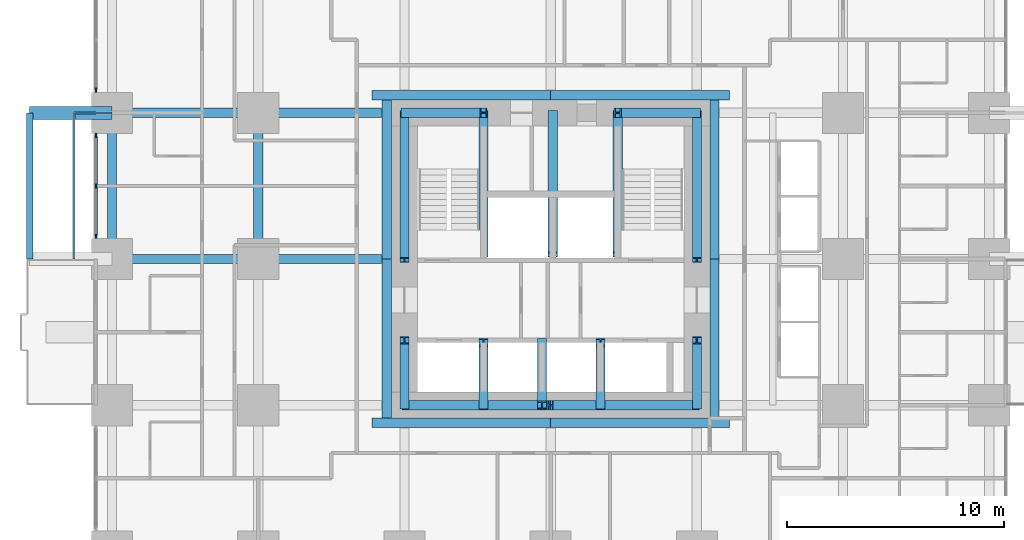
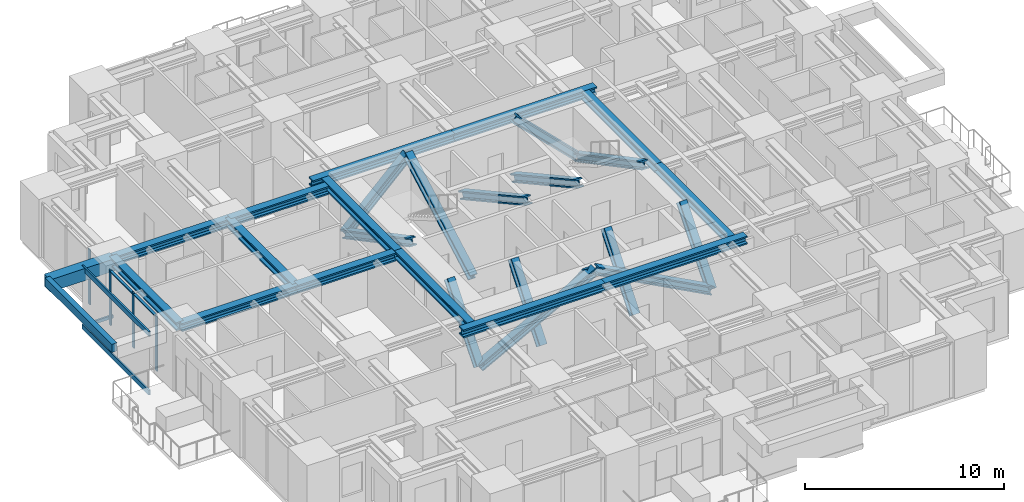
# One storey, part 3 of 15: 23 members, 16 beams, 2 elements without a shape of their own.
"""IFC4 building model written with IfcOpenShell, lengths in metres."""

from ifc_helpers import new_model, si_unit, direction, frame, origin, origin_2d, place, context, subcontext, project, spatial, rectangle, hollow_rectangle, i_section, extrude, material, material_profile, profile_set, type_object, element, aggregate, save


model = new_model("IFC4")

# Units and contexts
model_context = context("Model", 3, precision=1e-05, world=origin(), true_north=direction((0.0, 1.0)))
body_context = subcontext(model_context, "Body", "Model", "MODEL_VIEW")
ifc_project = project(units=[si_unit("LENGTHUNIT", "METRE"), si_unit("AREAUNIT", "SQUARE_METRE"), si_unit("VOLUMEUNIT", "CUBIC_METRE"), si_unit("PLANEANGLEUNIT", "RADIAN"), si_unit("MASSUNIT", "GRAM", prefix="KILO")], contexts=[model_context])

# Site, building, storey
site_placement = place(None, origin())
site = spatial("IfcSite", under=ifc_project, at=site_placement, CompositionType="ELEMENT")
building_placement = place(site_placement, origin())
building = spatial("IfcBuilding", under=site, at=building_placement, Name="Nyansa Garden Tower", CompositionType="ELEMENT")
storey_placement = place(building_placement, frame((0.0, 0.0, 32.39990234375)))
storey = spatial("IfcBuildingStorey", under=building, at=storey_placement, Name="L08", CompositionType="ELEMENT", Elevation=32.39990234375)

# Beams
ifc_material_1 = material(Name="Concrete C70/85", Category="concrete")
ifc_material_profile_1 = material_profile(ifc_material_1, rectangle(XDim=0.60009765625, YDim=0.75, at=origin_2d()), Name="RC 600x750")
ifc_profile_set_1 = profile_set([ifc_material_profile_1], Name="Concrete C70/85")
beam_type_1 = type_object("IfcBeamType", Name="Balcony cantilever beam CB1 RC 600x750", PredefinedType="BEAM", material=ifc_profile_set_1)
beam_1_placement = place(storey_placement, frame((0.0, 27.0, 2.985107421875), z_axis=(-1.0, 0.0, 0.0), x_axis=(0.0, -1.0, 0.0)))
element("IfcBeam", 1, at=beam_1_placement, inside=storey, type_object=beam_type_1, Name="Balcony cantilever beam L09", PredefinedType="BEAM", context=body_context, shape_type="SweptSolid", body=[
    extrude(rectangle(XDim=0.60009765625, YDim=0.75, at=origin_2d()), origin(), (0.0, 0.0, 1.0), 3.800048828125),
])
ifc_material_2 = material(Name="Concrete C70/85", Category="concrete")
ifc_material_profile_2 = material_profile(ifc_material_2, rectangle(XDim=0.300048828125, YDim=0.5, at=origin_2d()), Name="RC 300x500")
ifc_profile_set_2 = profile_set([ifc_material_profile_2], Name="Concrete C70/85")
beam_type_2 = type_object("IfcBeamType", Name="Balcony edge beam BE1 RC 300x500", PredefinedType="BEAM", material=ifc_profile_set_2)
beam_2_placement = place(storey_placement, frame((-3.800048828125, 20.25, 3.110107421875), z_axis=(0.0, 1.0, 0.0), x_axis=(-1.0, 0.0, 0.0)))
element("IfcBeam", 2, at=beam_2_placement, inside=storey, type_object=beam_type_2, Name="Balcony edge beam L09", PredefinedType="BEAM", context=body_context, shape_type="SweptSolid", body=[
    extrude(rectangle(XDim=0.300048828125, YDim=0.5, at=origin_2d()), origin(), (0.0, 0.0, 1.0), 6.75),
])

# Curtain wall, member
ifc_material_3 = material(Name="Black anodised aluminium, dark tinted double glazing", Category="aluminium")
curtain_wall_type = type_object("IfcCurtainWallType", Name="Inner skin curtain wall ISW-A", PredefinedType="USERDEFINED", material=ifc_material_3)
curtain_wall_1_placement = place(storey_placement, origin())
curtain_wall_1 = element("IfcCurtainWall", 3, at=curtain_wall_1_placement, inside=storey, type_object=curtain_wall_type, Name="Inner skin curtain wall L08 W", ObjectType="UNITISED CURTAIN WALL", PredefinedType="USERDEFINED")
ifc_material_4 = material(Name="Black anodised aluminium", Category="aluminium")
ifc_material_profile_3 = material_profile(ifc_material_4, rectangle(XDim=0.06494140625, YDim=0.199951171875, at=origin_2d()), Name="Mullion 200x65")
ifc_profile_set_3 = profile_set([ifc_material_profile_3], Name="Black anodised aluminium")
member_type_1 = type_object("IfcMemberType", Name="Mullion ISW-A 200x65", PredefinedType="MULLION", material=ifc_profile_set_3)
member_1_placement = place(storey_placement, frame((-0.75, 28.050048828125, 0.0), z_axis=(0.0, 0.0, 1.0), x_axis=(1.0, 0.0, 0.0)))
member_1 = element("IfcMember", 4, at=member_1_placement, type_object=member_type_1, Name="ISW-A mullion 3", PredefinedType="MULLION", context=body_context, shape_type="SweptSolid", body=[
    extrude(rectangle(XDim=0.06494140625, YDim=0.199951171875, at=origin_2d()), origin(), (0.0, 0.0, 1.0), 3.375),
])
aggregate(curtain_wall_1, [member_1])

# Curtain wall, members
curtain_wall_2_placement = place(storey_placement, origin())
curtain_wall_2 = element("IfcCurtainWall", 5, at=curtain_wall_2_placement, inside=storey, type_object=curtain_wall_type, Name="Inner skin curtain wall L08 W", ObjectType="UNITISED CURTAIN WALL", PredefinedType="USERDEFINED")
member_2_placement = place(storey_placement, frame((-0.75, 25.949951171875, 0.0), z_axis=(0.0, 0.0, 1.0), x_axis=(1.0, 0.0, 0.0)))
member_2 = element("IfcMember", 6, at=member_2_placement, type_object=member_type_1, Name="ISW-A mullion 1", PredefinedType="MULLION", context=body_context, shape_type="SweptSolid", body=[
    extrude(rectangle(XDim=0.06494140625, YDim=0.199951171875, at=origin_2d()), origin(), (0.0, 0.0, 1.0), 3.375),
])
member_3_placement = place(storey_placement, frame((-0.75, 23.625, 0.0), z_axis=(0.0, 0.0, 1.0), x_axis=(1.0, 0.0, 0.0)))
member_3 = element("IfcMember", 7, at=member_3_placement, type_object=member_type_1, Name="ISW-A mullion 2", PredefinedType="MULLION", context=body_context, shape_type="SweptSolid", body=[
    extrude(rectangle(XDim=0.06494140625, YDim=0.199951171875, at=origin_2d()), origin(), (0.0, 0.0, 1.0), 3.375),
])
member_4_placement = place(storey_placement, frame((-0.75, 21.300048828125, 0.0), z_axis=(0.0, 0.0, 1.0), x_axis=(1.0, 0.0, 0.0)))
member_4 = element("IfcMember", 8, at=member_4_placement, type_object=member_type_1, Name="ISW-A mullion 3", PredefinedType="MULLION", context=body_context, shape_type="SweptSolid", body=[
    extrude(rectangle(XDim=0.06494140625, YDim=0.199951171875, at=origin_2d()), origin(), (0.0, 0.0, 1.0), 3.375),
])

# Members
ifc_material_5 = material(Name="Steel S355, black powder coated", Category="steel")
ifc_material_profile_4 = material_profile(ifc_material_5, hollow_rectangle(XDim=0.10009765625, YDim=0.199951171875, WallThickness=0.008056640625, at=origin_2d()), Name="RHS 200x100x8")
ifc_profile_set_4 = profile_set([ifc_material_profile_4], Name="Steel S355, black powder coated")
member_type_2 = type_object("IfcMemberType", Name="Outer skin bracket arm RHS 200x100x8", PredefinedType="USERDEFINED", material=ifc_profile_set_4)
member_5_placement = place(storey_placement, frame((0.0, 27.0, -0.375), z_axis=(-1.0, 0.0, 0.0), x_axis=(0.0, -1.0, 0.0)))
element("IfcMember", 9, at=member_5_placement, inside=storey, type_object=member_type_2, Name="Outer skin bracket arm", ObjectType="OUTER SKIN BRACKET", PredefinedType="USERDEFINED", context=body_context, shape_type="SweptSolid", body=[
    extrude(hollow_rectangle(XDim=0.10009765625, YDim=0.199951171875, WallThickness=0.008056640625, at=origin_2d()), origin(), (0.0, 0.0, 1.0), 1.75),
])
ifc_material_6 = material(Name="Steel S355, black powder coated", Category="steel")
ifc_material_profile_5 = material_profile(ifc_material_6, hollow_rectangle(XDim=0.10009765625, YDim=0.300048828125, WallThickness=0.010009765625, at=origin_2d()), Name="RHS 300x100x10")
ifc_profile_set_5 = profile_set([ifc_material_profile_5], Name="Steel S355, black powder coated")
member_type_3 = type_object("IfcMemberType", Name="Outer skin rail RHS 300x100x10", PredefinedType="USERDEFINED", material=ifc_profile_set_5)
for number, where, z_axis, x_axis, name in (
    (10, (-1.75, 20.25, -0.375), (0.0, 1.0, 0.0), (-1.0, 0.0, 0.0), "Outer skin rail L08"),
    (11, (-1.75, 20.25, 3.22509765625), (0.0, 1.0, 0.0), (-1.0, 0.0, 0.0), "Outer skin rail L08 head"),
):
    element("IfcMember", number, at=place(storey_placement, frame(where, z_axis=z_axis, x_axis=x_axis)), inside=storey, type_object=member_type_3, Name=name, ObjectType="OUTER SKIN RAIL", PredefinedType="USERDEFINED", context=body_context, shape_type="SweptSolid", body=[
        extrude(hollow_rectangle(XDim=0.10009765625, YDim=0.300048828125, WallThickness=0.010009765625, at=origin_2d()), origin(), (0.0, 0.0, 1.0), 6.75),
    ])
ifc_material_7 = material(Name="Steel S355", Category="steel")
ifc_material_profile_6 = material_profile(ifc_material_7, i_section(OverallWidth=0.424072265625, OverallDepth=0.47412109375, WebThickness=0.047607421875, FlangeThickness=0.076904296875, FilletRadius=0.014892578125, at=origin_2d()), Name="HD 400x634")
ifc_profile_set_6 = profile_set([ifc_material_profile_6], Name="Steel S355")
member_type_4 = type_object("IfcMemberType", Name="Perimeter brace HD 400x634", PredefinedType="BRACE", material=ifc_profile_set_6)
for number, where, z_axis, x_axis, name in (
    (12, (13.5, 13.5, 0.0), (0.882347640589, 0.0, 0.47059817376), (0.0, 1.0, 0.0), "Core brace CS1 L08"),
    (13, (27.0, 13.5, 0.0), (-0.882347640589, 0.0, 0.47059817376), (0.0, -1.0, 0.0), "Core brace CS2 L08"),
):
    element("IfcMember", number, at=place(storey_placement, frame(where, z_axis=z_axis, x_axis=x_axis)), inside=storey, type_object=member_type_4, Name=name, PredefinedType="BRACE", context=body_context, shape_type="SweptSolid", body=[
        extrude(i_section(OverallWidth=0.424072265625, OverallDepth=0.47412109375, WebThickness=0.047607421875, FlangeThickness=0.076904296875, FilletRadius=0.014892578125, at=origin_2d()), origin(), (0.0, 0.0, 1.0), 7.650146484375),
    ])
for number, where, z_axis, x_axis, name in (
    (14, (13.5, 27.0, 0.0), (0.711947531702, 0.0, 0.702232662373), (0.0, 1.0, 0.0), "Core brace CN3 L08"),
    (15, (27.0, 27.0, 0.0), (-0.711947531702, 0.0, 0.702232662373), (0.0, -1.0, 0.0), "Core brace CN4 L08"),
):
    element("IfcMember", number, at=place(storey_placement, frame(where, z_axis=z_axis, x_axis=x_axis)), inside=storey, type_object=member_type_4, Name=name, PredefinedType="BRACE", context=body_context, shape_type="SweptSolid", body=[
        extrude(i_section(OverallWidth=0.424072265625, OverallDepth=0.47412109375, WebThickness=0.047607421875, FlangeThickness=0.076904296875, FilletRadius=0.014892578125, at=origin_2d()), origin(), (0.0, 0.0, 1.0), 5.126708984375),
    ])
member_6_placement = place(storey_placement, frame((13.5, 13.5, 0.0), z_axis=(0.0, 0.640174150918, 0.768229820104), x_axis=(-1.0, 0.0, 0.0)))
element("IfcMember", 16, at=member_6_placement, inside=storey, type_object=member_type_4, Name="Core brace CW5 L08", PredefinedType="BRACE", context=body_context, shape_type="SweptSolid", body=[
    extrude(i_section(OverallWidth=0.424072265625, OverallDepth=0.47412109375, WebThickness=0.047607421875, FlangeThickness=0.076904296875, FilletRadius=0.014892578125, at=origin_2d()), origin(), (0.0, 0.0, 1.0), 4.686279296875),
])
member_7_placement = place(storey_placement, frame((13.5, 27.0, 0.0), z_axis=(0.0, -0.883784057226, 0.467895009796), x_axis=(1.0, 0.0, 0.0)))
element("IfcMember", 17, at=member_7_placement, inside=storey, type_object=member_type_4, Name="Core brace CW6 L08", PredefinedType="BRACE", context=body_context, shape_type="SweptSolid", body=[
    extrude(i_section(OverallWidth=0.424072265625, OverallDepth=0.47412109375, WebThickness=0.047607421875, FlangeThickness=0.076904296875, FilletRadius=0.014892578125, at=origin_2d()), origin(), (0.0, 0.0, 1.0), 7.6943359375),
])
member_8_placement = place(storey_placement, frame((27.0, 13.5, 0.0), z_axis=(0.0, 0.640174150918, 0.768229820104), x_axis=(-1.0, 0.0, 0.0)))
element("IfcMember", 18, at=member_8_placement, inside=storey, type_object=member_type_4, Name="Core brace CE7 L08", PredefinedType="BRACE", context=body_context, shape_type="SweptSolid", body=[
    extrude(i_section(OverallWidth=0.424072265625, OverallDepth=0.47412109375, WebThickness=0.047607421875, FlangeThickness=0.076904296875, FilletRadius=0.014892578125, at=origin_2d()), origin(), (0.0, 0.0, 1.0), 4.686279296875),
])
member_9_placement = place(storey_placement, frame((27.0, 27.0, 0.0), z_axis=(0.0, -0.883784057226, 0.467895009796), x_axis=(1.0, 0.0, 0.0)))
element("IfcMember", 19, at=member_9_placement, inside=storey, type_object=member_type_4, Name="Core brace CE8 L08", PredefinedType="BRACE", context=body_context, shape_type="SweptSolid", body=[
    extrude(i_section(OverallWidth=0.424072265625, OverallDepth=0.47412109375, WebThickness=0.047607421875, FlangeThickness=0.076904296875, FilletRadius=0.014892578125, at=origin_2d()), origin(), (0.0, 0.0, 1.0), 7.6943359375),
])
for number, where, z_axis, x_axis, name in (
    (20, (17.14990234375, 20.449951171875, 0.0), (0.0, 0.876353113771, 0.481669201822), (-1.0, 0.0, 0.0), "Core brace CWS9 L08"),
    (21, (23.35009765625, 27.0, 0.0), (0.0, -0.876353113771, 0.481669201822), (1.0, 0.0, 0.0), "Core brace CES10 L08"),
):
    element("IfcMember", number, at=place(storey_placement, frame(where, z_axis=z_axis, x_axis=x_axis)), inside=storey, type_object=member_type_4, Name=name, PredefinedType="BRACE", context=body_context, shape_type="SweptSolid", body=[
        extrude(i_section(OverallWidth=0.424072265625, OverallDepth=0.47412109375, WebThickness=0.047607421875, FlangeThickness=0.076904296875, FilletRadius=0.014892578125, at=origin_2d()), origin(), (0.0, 0.0, 1.0), 7.47412109375),
    ])
for number, where, z_axis, x_axis, name in (
    (22, (17.14990234375, 13.5, 0.0), (0.0, 0.627306405886, 0.778772542617), (-1.0, 0.0, 0.0), "Core brace CSW11 L08"),
    (23, (19.85009765625, 16.39990234375, 0.0), (0.0, -0.627306405886, 0.778772542617), (1.0, 0.0, 0.0), "Core brace CSW12 L08"),
    (24, (22.550048828125, 13.5, 0.0), (0.0, 0.627306405886, 0.778772542617), (-1.0, 0.0, 0.0), "Core brace CSW13 L08"),
):
    element("IfcMember", number, at=place(storey_placement, frame(where, z_axis=z_axis, x_axis=x_axis)), inside=storey, type_object=member_type_4, Name=name, PredefinedType="BRACE", context=body_context, shape_type="SweptSolid", body=[
        extrude(i_section(OverallWidth=0.424072265625, OverallDepth=0.47412109375, WebThickness=0.047607421875, FlangeThickness=0.076904296875, FilletRadius=0.014892578125, at=origin_2d()), origin(), (0.0, 0.0, 1.0), 4.622802734375),
    ])
member_10_placement = place(storey_placement, frame((20.35009765625, 27.0, 0.0), z_axis=(0.0, -0.876353113771, 0.481669201822), x_axis=(1.0, 0.0, 0.0)))
element("IfcMember", 25, at=member_10_placement, inside=storey, type_object=member_type_4, Name="Core brace CNW14 L08", PredefinedType="BRACE", context=body_context, shape_type="SweptSolid", body=[
    extrude(i_section(OverallWidth=0.424072265625, OverallDepth=0.47412109375, WebThickness=0.047607421875, FlangeThickness=0.076904296875, FilletRadius=0.014892578125, at=origin_2d()), origin(), (0.0, 0.0, 1.0), 7.47412109375),
])

# Beams
ifc_material_8 = material(Name="Steel S355", Category="steel")
ifc_material_profile_7 = material_profile(ifc_material_8, i_section(OverallWidth=0.431884765625, OverallDepth=0.498046875, WebThickness=0.0556640625, FlangeThickness=0.0888671875, FilletRadius=0.014892578125, at=origin_2d()), Name="HD 400x744")
ifc_profile_set_7 = profile_set([ifc_material_profile_7], Name="Steel S355")
beam_type_3 = type_object("IfcBeamType", Name="Steel beam SBA1-744 HD 400x744", PredefinedType="BEAM", material=ifc_profile_set_7)
for number, where, z_axis, x_axis, name in (
    (26, (0.0, 20.25, 3.1259765625), (1.0, 0.0, 0.0), (0.0, 1.0, 0.0), "Steel beam 2/G-3/G L09"),
    (27, (0.0, 27.0, 3.1259765625), (1.0, 0.0, 0.0), (0.0, 1.0, 0.0), "Steel beam 2/H-3/H L09"),
    (28, (6.75, 20.25, 3.1259765625), (0.0, 1.0, 0.0), (-1.0, 0.0, 0.0), "Steel beam 3/G-3/H L09"),
):
    element("IfcBeam", number, at=place(storey_placement, frame(where, z_axis=z_axis, x_axis=x_axis)), inside=storey, type_object=beam_type_3, Name=name, PredefinedType="BEAM", context=body_context, shape_type="SweptSolid", body=[
        extrude(i_section(OverallWidth=0.431884765625, OverallDepth=0.498046875, WebThickness=0.0556640625, FlangeThickness=0.0888671875, FilletRadius=0.014892578125, at=origin_2d()), origin(), (0.0, 0.0, 1.0), 6.75),
    ])
for number, where, z_axis, x_axis, name in (
    (29, (6.75, 20.25, 3.1259765625), (1.0, 0.0, 0.0), (0.0, 1.0, 0.0), "Steel beam 3/G-12.450/G L09"),
    (30, (6.75, 27.0, 3.1259765625), (1.0, 0.0, 0.0), (0.0, 1.0, 0.0), "Steel beam 3/H-12.450/H L09"),
):
    element("IfcBeam", number, at=place(storey_placement, frame(where, z_axis=z_axis, x_axis=x_axis)), inside=storey, type_object=beam_type_3, Name=name, PredefinedType="BEAM", context=body_context, shape_type="SweptSolid", body=[
        extrude(i_section(OverallWidth=0.431884765625, OverallDepth=0.498046875, WebThickness=0.0556640625, FlangeThickness=0.0888671875, FilletRadius=0.014892578125, at=origin_2d()), origin(), (0.0, 0.0, 1.0), 5.699951171875),
    ])
ifc_material_9 = material(Name="Steel S355", Category="steel")
ifc_material_profile_8 = material_profile(ifc_material_9, i_section(OverallWidth=0.431884765625, OverallDepth=0.498046875, WebThickness=0.0556640625, FlangeThickness=0.0888671875, FilletRadius=0.014892578125, at=origin_2d()), Name="HD 400x744")
ifc_profile_set_8 = profile_set([ifc_material_profile_8], Name="Steel S355")
beam_type_4 = type_object("IfcBeamType", Name="Steel beam SEBA-744 HD 400x744", PredefinedType="BEAM", material=ifc_profile_set_8)
beam_3_placement = place(storey_placement, frame((0.0, 20.25, 3.1259765625), z_axis=(0.0, 1.0, 0.0), x_axis=(-1.0, 0.0, 0.0)))
element("IfcBeam", 31, at=beam_3_placement, inside=storey, type_object=beam_type_4, Name="Steel edge beam 2/G-2/H L09", PredefinedType="BEAM", context=body_context, shape_type="SweptSolid", body=[
    extrude(i_section(OverallWidth=0.431884765625, OverallDepth=0.498046875, WebThickness=0.0556640625, FlangeThickness=0.0888671875, FilletRadius=0.014892578125, at=origin_2d()), origin(), (0.0, 0.0, 1.0), 6.75),
])
ifc_material_10 = material(Name="Steel S355", Category="steel")
ifc_material_profile_9 = material_profile(ifc_material_10, i_section(OverallWidth=0.431884765625, OverallDepth=0.498046875, WebThickness=0.0556640625, FlangeThickness=0.0888671875, FilletRadius=0.014892578125, at=origin_2d()), Name="HD 400x744")
ifc_profile_set_9 = profile_set([ifc_material_profile_9], Name="Steel S355")
beam_type_5 = type_object("IfcBeamType", Name="Steel beam SLB1-744 HD 400x744", PredefinedType="BEAM", material=ifc_profile_set_9)
for number, where, z_axis, x_axis, name in (
    (32, (12.0, 12.68408203125, 3.1259765625), (1.0, 0.0, 0.0), (0.0, 1.0, 0.0), "Steel core ledger beam S.1 L09"),
    (33, (20.25, 12.68408203125, 3.1259765625), (1.0, 0.0, 0.0), (0.0, 1.0, 0.0), "Steel core ledger beam S.2 L09"),
):
    element("IfcBeam", number, at=place(storey_placement, frame(where, z_axis=z_axis, x_axis=x_axis)), inside=storey, type_object=beam_type_5, Name=name, PredefinedType="BEAM", context=body_context, shape_type="SweptSolid", body=[
        extrude(i_section(OverallWidth=0.431884765625, OverallDepth=0.498046875, WebThickness=0.0556640625, FlangeThickness=0.0888671875, FilletRadius=0.014892578125, at=origin_2d()), origin(), (0.0, 0.0, 1.0), 8.25),
    ])
for number, where, z_axis, x_axis, name in (
    (34, (27.81591796875, 12.89990234375, 3.1259765625), (0.0, 1.0, 0.0), (-1.0, 0.0, 0.0), "Steel core ledger beam E.1 L09"),
    (35, (27.81591796875, 20.25, 3.1259765625), (0.0, 1.0, 0.0), (-1.0, 0.0, 0.0), "Steel core ledger beam E.2 L09"),
):
    element("IfcBeam", number, at=place(storey_placement, frame(where, z_axis=z_axis, x_axis=x_axis)), inside=storey, type_object=beam_type_5, Name=name, PredefinedType="BEAM", context=body_context, shape_type="SweptSolid", body=[
        extrude(i_section(OverallWidth=0.431884765625, OverallDepth=0.498046875, WebThickness=0.0556640625, FlangeThickness=0.0888671875, FilletRadius=0.014892578125, at=origin_2d()), origin(), (0.0, 0.0, 1.0), 7.35009765625),
    ])
for number, where, z_axis, x_axis, name in (
    (36, (28.5, 27.81591796875, 3.1259765625), (-1.0, 0.0, 0.0), (0.0, -1.0, 0.0), "Steel core ledger beam N.1 L09"),
    (37, (20.25, 27.81591796875, 3.1259765625), (-1.0, 0.0, 0.0), (0.0, -1.0, 0.0), "Steel core ledger beam N.2 L09"),
):
    element("IfcBeam", number, at=place(storey_placement, frame(where, z_axis=z_axis, x_axis=x_axis)), inside=storey, type_object=beam_type_5, Name=name, PredefinedType="BEAM", context=body_context, shape_type="SweptSolid", body=[
        extrude(i_section(OverallWidth=0.431884765625, OverallDepth=0.498046875, WebThickness=0.0556640625, FlangeThickness=0.0888671875, FilletRadius=0.014892578125, at=origin_2d()), origin(), (0.0, 0.0, 1.0), 8.25),
    ])
for number, where, z_axis, x_axis, name in (
    (38, (12.68408203125, 27.60009765625, 3.1259765625), (0.0, -1.0, 0.0), (1.0, 0.0, 0.0), "Steel core ledger beam W.1 L09"),
    (39, (12.68408203125, 20.25, 3.1259765625), (0.0, -1.0, 0.0), (1.0, 0.0, 0.0), "Steel core ledger beam W.2 L09"),
):
    element("IfcBeam", number, at=place(storey_placement, frame(where, z_axis=z_axis, x_axis=x_axis)), inside=storey, type_object=beam_type_5, Name=name, PredefinedType="BEAM", context=body_context, shape_type="SweptSolid", body=[
        extrude(i_section(OverallWidth=0.431884765625, OverallDepth=0.498046875, WebThickness=0.0556640625, FlangeThickness=0.0888671875, FilletRadius=0.014892578125, at=origin_2d()), origin(), (0.0, 0.0, 1.0), 7.35009765625),
    ])

# Member
ifc_material_11 = material(Name="Black anodised aluminium", Category="aluminium")
ifc_material_profile_10 = material_profile(ifc_material_11, rectangle(XDim=0.14990234375, YDim=0.06494140625, at=origin_2d()), Name="Transom 150x65")
ifc_profile_set_10 = profile_set([ifc_material_profile_10], Name="Black anodised aluminium")
member_type_5 = type_object("IfcMemberType", Name="Transom ISW-A 150x65", PredefinedType="USERDEFINED", material=ifc_profile_set_10)
member_11_placement = place(storey_placement, frame((-0.75, 25.91748046875, 3.342529296875), z_axis=(0.0, -1.0, 0.0), x_axis=(1.0, 0.0, 0.0)))
member_11 = element("IfcMember", 40, at=member_11_placement, type_object=member_type_5, Name="ISW-A transom 1", ObjectType="TRANSOM", PredefinedType="USERDEFINED", context=body_context, shape_type="SweptSolid", body=[
    extrude(rectangle(XDim=0.14990234375, YDim=0.06494140625, at=origin_2d()), origin(), (0.0, 0.0, 1.0), 2.260009765625),
])

member_12_placement = place(storey_placement, frame((-0.75, 23.592529296875, 3.342529296875), z_axis=(0.0, -1.0, 0.0), x_axis=(1.0, 0.0, 0.0)))
member_12 = element("IfcMember", 41, at=member_12_placement, type_object=member_type_5, Name="ISW-A transom 2", ObjectType="TRANSOM", PredefinedType="USERDEFINED", context=body_context, shape_type="SweptSolid", body=[
    extrude(rectangle(XDim=0.14990234375, YDim=0.06494140625, at=origin_2d()), origin(), (0.0, 0.0, 1.0), 2.260009765625),
])

aggregate(curtain_wall_2, [member_2, member_3, member_4, member_11, member_12])

save(model, "model.ifc")
